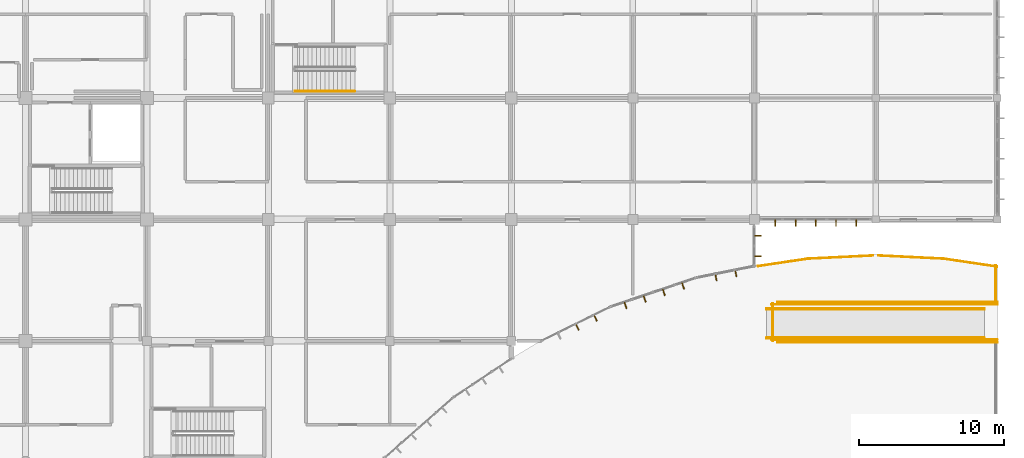
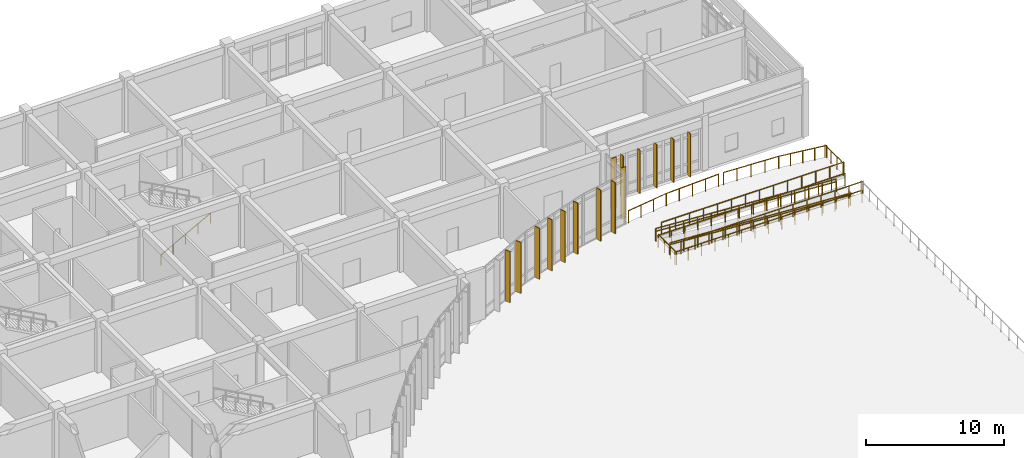
# One storey, part 136 of 138: 15 railings, 15 shading devices.
"""IFC4 building model written with IfcOpenShell, lengths in metres."""

from ifc_helpers import new_model, si_unit, direction, frame, origin, origin_2d, place, context, subcontext, project, spatial, rectangle, circle, extrude, material, material_profile, profile_set, type_object, element, save


model = new_model("IFC4")

# Units and contexts
model_context = context("Model", 3, precision=1e-05, world=origin(), true_north=direction((0.0, 1.0)))
body_context = subcontext(model_context, "Body", "Model", "MODEL_VIEW")
ifc_project = project(units=[si_unit("LENGTHUNIT", "METRE"), si_unit("AREAUNIT", "SQUARE_METRE"), si_unit("VOLUMEUNIT", "CUBIC_METRE"), si_unit("PLANEANGLEUNIT", "RADIAN"), si_unit("MASSUNIT", "GRAM", prefix="KILO")], contexts=[model_context])

# Site, building, storey
site_placement = place(None, origin())
site = spatial("IfcSite", under=ifc_project, at=site_placement, CompositionType="ELEMENT")
building_placement = place(site_placement, origin())
building = spatial("IfcBuilding", under=site, at=building_placement, Name="Bramfleet General Hospital", CompositionType="ELEMENT")
storey_placement = place(building_placement, origin())
storey = spatial("IfcBuildingStorey", under=building, at=storey_placement, Name="L00", CompositionType="ELEMENT", Elevation=0.0)

# Railings
ifc_material_1 = material(Name="Stainless steel 1.4401 safety balustrade", Category="steel")
railing_type_1 = type_object("IfcRailingType", Name="RAIL-EXT-GUARD", PredefinedType="GUARDRAIL", material=ifc_material_1)
railing_1_placement = place(storey_placement, frame((168.2646484375, 89.1689453125, 0.0)))
element("IfcRailing", 1, at=railing_1_placement, inside=storey, type_object=railing_type_1, Name="L00 Flood-Plinth Guard 232", PredefinedType="GUARDRAIL", context=body_context, shape_type="SweptSolid", body=[
    extrude(circle(Radius=0.02392578125, at=origin_2d()), frame((0.0, 0.0, 1.076171875), z_axis=(0.989173702193, 0.146749401665, 0.0), x_axis=(-0.146749401665, 0.989173702193, 0.0)), (0.0, 0.0, 1.0), 3.48193359375),
    extrude(circle(Radius=0.02099609375, at=origin_2d()), origin(), (0.0, 0.0, 1.0), 1.052001953125),
    extrude(circle(Radius=0.02099609375, at=origin_2d()), frame((1.148193359375, 0.17041015625, 0.0)), (0.0, 0.0, 1.0), 1.052001953125),
    extrude(circle(Radius=0.02099609375, at=origin_2d()), frame((2.296142578125, 0.340576171875, 0.0)), (0.0, 0.0, 1.0), 1.052001953125),
    extrude(circle(Radius=0.02099609375, at=origin_2d()), frame((3.4443359375, 0.510986328125, 0.0)), (0.0, 0.0, 1.0), 1.052001953125),
])
railing_2_placement = place(storey_placement, frame((171.69921875, 89.678955078125, 0.0)))
element("IfcRailing", 2, at=railing_2_placement, inside=storey, type_object=railing_type_1, Name="L00 Flood-Plinth Guard 233", PredefinedType="GUARDRAIL", context=body_context, shape_type="SweptSolid", body=[
    extrude(circle(Radius=0.02392578125, at=origin_2d()), frame((0.0, 0.0, 1.076171875), z_axis=(0.998795318801, 0.049070471169, 0.0), x_axis=(-0.049070471169, 0.998795318801, 0.0)), (0.0, 0.0, 1.0), 4.507568359375),
    extrude(circle(Radius=0.02099609375, at=origin_2d()), origin(), (0.0, 0.0, 1.0), 1.052001953125),
    extrude(circle(Radius=0.02099609375, at=origin_2d()), frame((1.12548828125, 0.05517578125, 0.0)), (0.0, 0.0, 1.0), 1.052001953125),
    extrude(circle(Radius=0.02099609375, at=origin_2d()), frame((2.2509765625, 0.110595703125, 0.0)), (0.0, 0.0, 1.0), 1.052001953125),
    extrude(circle(Radius=0.02099609375, at=origin_2d()), frame((3.376708984375, 0.166015625, 0.0)), (0.0, 0.0, 1.0), 1.052001953125),
    extrude(circle(Radius=0.02099609375, at=origin_2d()), frame((4.502197265625, 0.22119140625, 0.0)), (0.0, 0.0, 1.0), 1.052001953125),
])
railing_3_placement = place(storey_placement, frame((176.5986328125, 89.900146484375, 0.0)))
element("IfcRailing", 3, at=railing_3_placement, inside=storey, type_object=railing_type_1, Name="L00 Flood-Plinth Guard 234", PredefinedType="GUARDRAIL", context=body_context, shape_type="SweptSolid", body=[
    extrude(circle(Radius=0.02392578125, at=origin_2d()), frame((0.0, 0.0, 1.076171875), z_axis=(0.998795318801, -0.049070471169, 0.0), x_axis=(0.049070471169, 0.998795318801, 0.0)), (0.0, 0.0, 1.0), 4.507568359375),
    extrude(circle(Radius=0.02099609375, at=origin_2d()), origin(), (0.0, 0.0, 1.0), 1.052001953125),
    extrude(circle(Radius=0.02099609375, at=origin_2d()), frame((1.12548828125, -0.05517578125, 0.0)), (0.0, 0.0, 1.0), 1.052001953125),
    extrude(circle(Radius=0.02099609375, at=origin_2d()), frame((2.2509765625, -0.110595703125, 0.0)), (0.0, 0.0, 1.0), 1.052001953125),
    extrude(circle(Radius=0.02099609375, at=origin_2d()), frame((3.376708984375, -0.166015625, 0.0)), (0.0, 0.0, 1.0), 1.052001953125),
    extrude(circle(Radius=0.02099609375, at=origin_2d()), frame((4.502197265625, -0.22119140625, 0.0)), (0.0, 0.0, 1.0), 1.052001953125),
])
railing_4_placement = place(storey_placement, frame((181.091064453125, 89.679931640625, 0.0)))
element("IfcRailing", 4, at=railing_4_placement, inside=storey, type_object=railing_type_1, Name="L00 Flood-Plinth Guard 235", PredefinedType="GUARDRAIL", context=body_context, shape_type="SweptSolid", body=[
    extrude(circle(Radius=0.02392578125, at=origin_2d()), frame((0.0, 0.0, 1.076171875), z_axis=(0.989172905816, -0.146754769598, 0.0), x_axis=(0.146754769598, 0.989172905816, 0.0)), (0.0, 0.0, 1.0), 3.73486328125),
    extrude(circle(Radius=0.02099609375, at=origin_2d()), origin(), (0.0, 0.0, 1.0), 1.052001953125),
    extrude(circle(Radius=0.02099609375, at=origin_2d()), frame((0.923583984375, -0.136962890625, 0.0)), (0.0, 0.0, 1.0), 1.052001953125),
    extrude(circle(Radius=0.02099609375, at=origin_2d()), frame((1.84716796875, -0.27392578125, 0.0)), (0.0, 0.0, 1.0), 1.052001953125),
    extrude(circle(Radius=0.02099609375, at=origin_2d()), frame((2.770751953125, -0.4111328125, 0.0)), (0.0, 0.0, 1.0), 1.052001953125),
    extrude(circle(Radius=0.02099609375, at=origin_2d()), frame((3.6943359375, -0.548095703125, 0.0)), (0.0, 0.0, 1.0), 1.052001953125),
])
railing_5_placement = place(storey_placement, frame((184.699951171875, 89.230712890625, 0.0)))
element("IfcRailing", 5, at=railing_5_placement, inside=storey, type_object=railing_type_1, Name="L00 Flood-Plinth Guard 236", PredefinedType="GUARDRAIL", context=body_context, shape_type="SweptSolid", body=[
    extrude(circle(Radius=0.02392578125, at=origin_2d()), frame((0.0, 0.0, 1.076171875), z_axis=(0.0, -1.0, 0.0), x_axis=(1.0, 0.0, 0.0)), (0.0, 0.0, 1.0), 2.630615234375),
    extrude(circle(Radius=0.02099609375, at=origin_2d()), origin(), (0.0, 0.0, 1.0), 1.052001953125),
    extrude(circle(Radius=0.02099609375, at=origin_2d()), frame((0.0, -0.876953125, 0.0)), (0.0, 0.0, 1.0), 1.052001953125),
    extrude(circle(Radius=0.02099609375, at=origin_2d()), frame((0.0, -1.753662109375, 0.0)), (0.0, 0.0, 1.0), 1.052001953125),
    extrude(circle(Radius=0.02099609375, at=origin_2d()), frame((0.0, -2.630615234375, 0.0)), (0.0, 0.0, 1.0), 1.052001953125),
])
railing_6_placement = place(storey_placement, frame((184.800048828125, 86.699951171875, 0.0)))
element("IfcRailing", 6, at=railing_6_placement, inside=storey, type_object=railing_type_1, Name="L00 Flood-Plinth Guard 237", PredefinedType="GUARDRAIL", context=body_context, shape_type="SweptSolid", body=[
    extrude(circle(Radius=0.02392578125, at=origin_2d()), frame((0.0, 0.0, 1.076171875), z_axis=(-1.0, 0.0, 0.0), x_axis=(0.0, -1.0, 0.0)), (0.0, 0.0, 1.0), 15.199951171875),
    extrude(circle(Radius=0.02099609375, at=origin_2d()), origin(), (0.0, 0.0, 1.0), 1.052001953125),
    extrude(circle(Radius=0.02099609375, at=origin_2d()), frame((-1.169189453125, 0.0, 0.0)), (0.0, 0.0, 1.0), 1.052001953125),
    extrude(circle(Radius=0.02099609375, at=origin_2d()), frame((-2.33837890625, 0.0, 0.0)), (0.0, 0.0, 1.0), 1.052001953125),
    extrude(circle(Radius=0.02099609375, at=origin_2d()), frame((-3.507568359375, 0.0, 0.0)), (0.0, 0.0, 1.0), 1.052001953125),
    extrude(circle(Radius=0.02099609375, at=origin_2d()), frame((-4.677001953125, 0.0, 0.0)), (0.0, 0.0, 1.0), 1.052001953125),
    extrude(circle(Radius=0.02099609375, at=origin_2d()), frame((-5.84619140625, 0.0, 0.0)), (0.0, 0.0, 1.0), 1.052001953125),
    extrude(circle(Radius=0.02099609375, at=origin_2d()), frame((-7.015380859375, 0.0, 0.0)), (0.0, 0.0, 1.0), 1.052001953125),
    extrude(circle(Radius=0.02099609375, at=origin_2d()), frame((-8.1845703125, 0.0, 0.0)), (0.0, 0.0, 1.0), 1.052001953125),
    extrude(circle(Radius=0.02099609375, at=origin_2d()), frame((-9.353759765625, 0.0, 0.0)), (0.0, 0.0, 1.0), 1.052001953125),
    extrude(circle(Radius=0.02099609375, at=origin_2d()), frame((-10.52294921875, 0.0, 0.0)), (0.0, 0.0, 1.0), 1.052001953125),
    extrude(circle(Radius=0.02099609375, at=origin_2d()), frame((-11.6923828125, 0.0, 0.0)), (0.0, 0.0, 1.0), 1.052001953125),
    extrude(circle(Radius=0.02099609375, at=origin_2d()), frame((-12.861572265625, 0.0, 0.0)), (0.0, 0.0, 1.0), 1.052001953125),
    extrude(circle(Radius=0.02099609375, at=origin_2d()), frame((-14.03076171875, 0.0, 0.0)), (0.0, 0.0, 1.0), 1.052001953125),
    extrude(circle(Radius=0.02099609375, at=origin_2d()), frame((-15.199951171875, 0.0, 0.0)), (0.0, 0.0, 1.0), 1.052001953125),
])
railing_7_placement = place(storey_placement, frame((169.60009765625, 83.89990234375, 0.0)))
element("IfcRailing", 7, at=railing_7_placement, inside=storey, type_object=railing_type_1, Name="L00 Flood-Plinth Guard 238", PredefinedType="GUARDRAIL", context=body_context, shape_type="SweptSolid", body=[
    extrude(circle(Radius=0.02392578125, at=origin_2d()), frame((0.0, 0.0, 1.076171875), z_axis=(1.0, 0.0, 0.0), x_axis=(0.0, 1.0, 0.0)), (0.0, 0.0, 1.0), 15.199951171875),
    extrude(circle(Radius=0.02099609375, at=origin_2d()), origin(), (0.0, 0.0, 1.0), 1.052001953125),
    extrude(circle(Radius=0.02099609375, at=origin_2d()), frame((1.169189453125, 0.0, 0.0)), (0.0, 0.0, 1.0), 1.052001953125),
    extrude(circle(Radius=0.02099609375, at=origin_2d()), frame((2.33837890625, 0.0, 0.0)), (0.0, 0.0, 1.0), 1.052001953125),
    extrude(circle(Radius=0.02099609375, at=origin_2d()), frame((3.507568359375, 0.0, 0.0)), (0.0, 0.0, 1.0), 1.052001953125),
    extrude(circle(Radius=0.02099609375, at=origin_2d()), frame((4.677001953125, 0.0, 0.0)), (0.0, 0.0, 1.0), 1.052001953125),
    extrude(circle(Radius=0.02099609375, at=origin_2d()), frame((5.84619140625, 0.0, 0.0)), (0.0, 0.0, 1.0), 1.052001953125),
    extrude(circle(Radius=0.02099609375, at=origin_2d()), frame((7.015380859375, 0.0, 0.0)), (0.0, 0.0, 1.0), 1.052001953125),
    extrude(circle(Radius=0.02099609375, at=origin_2d()), frame((8.1845703125, 0.0, 0.0)), (0.0, 0.0, 1.0), 1.052001953125),
    extrude(circle(Radius=0.02099609375, at=origin_2d()), frame((9.353759765625, 0.0, 0.0)), (0.0, 0.0, 1.0), 1.052001953125),
    extrude(circle(Radius=0.02099609375, at=origin_2d()), frame((10.52294921875, 0.0, 0.0)), (0.0, 0.0, 1.0), 1.052001953125),
    extrude(circle(Radius=0.02099609375, at=origin_2d()), frame((11.6923828125, 0.0, 0.0)), (0.0, 0.0, 1.0), 1.052001953125),
    extrude(circle(Radius=0.02099609375, at=origin_2d()), frame((12.861572265625, 0.0, 0.0)), (0.0, 0.0, 1.0), 1.052001953125),
    extrude(circle(Radius=0.02099609375, at=origin_2d()), frame((14.03076171875, 0.0, 0.0)), (0.0, 0.0, 1.0), 1.052001953125),
    extrude(circle(Radius=0.02099609375, at=origin_2d()), frame((15.199951171875, 0.0, 0.0)), (0.0, 0.0, 1.0), 1.052001953125),
])
railing_8_placement = place(storey_placement, frame((169.199951171875, 84.080078125, -0.89990234375)))
element("IfcRailing", 8, at=railing_8_placement, inside=storey, type_object=railing_type_1, Name="Ramp Pocket Guard 6.259", PredefinedType="GUARDRAIL", context=body_context, shape_type="SweptSolid", body=[
    extrude(circle(Radius=0.02392578125, at=origin_2d()), frame((0.0, 0.0, 1.076171875), z_axis=(1.0, 0.0, 0.0), x_axis=(0.0, 1.0, 0.0)), (0.0, 0.0, 1.0), 15.60009765625),
    extrude(circle(Radius=0.02099609375, at=origin_2d()), origin(), (0.0, 0.0, 1.0), 1.052001953125),
    extrude(circle(Radius=0.02099609375, at=origin_2d()), frame((1.1142578125, 0.0, 0.0)), (0.0, 0.0, 1.0), 1.052001953125),
    extrude(circle(Radius=0.02099609375, at=origin_2d()), frame((2.228515625, 0.0, 0.0)), (0.0, 0.0, 1.0), 1.052001953125),
    extrude(circle(Radius=0.02099609375, at=origin_2d()), frame((3.3427734375, 0.0, 0.0)), (0.0, 0.0, 1.0), 1.052001953125),
    extrude(circle(Radius=0.02099609375, at=origin_2d()), frame((4.457275390625, 0.0, 0.0)), (0.0, 0.0, 1.0), 1.052001953125),
    extrude(circle(Radius=0.02099609375, at=origin_2d()), frame((5.571533203125, 0.0, 0.0)), (0.0, 0.0, 1.0), 1.052001953125),
    extrude(circle(Radius=0.02099609375, at=origin_2d()), frame((6.685791015625, 0.0, 0.0)), (0.0, 0.0, 1.0), 1.052001953125),
    extrude(circle(Radius=0.02099609375, at=origin_2d()), frame((7.800048828125, 0.0, 0.0)), (0.0, 0.0, 1.0), 1.052001953125),
    extrude(circle(Radius=0.02099609375, at=origin_2d()), frame((8.914306640625, 0.0, 0.0)), (0.0, 0.0, 1.0), 1.052001953125),
    extrude(circle(Radius=0.02099609375, at=origin_2d()), frame((10.028564453125, 0.0, 0.0)), (0.0, 0.0, 1.0), 1.052001953125),
    extrude(circle(Radius=0.02099609375, at=origin_2d()), frame((11.142822265625, 0.0, 0.0)), (0.0, 0.0, 1.0), 1.052001953125),
    extrude(circle(Radius=0.02099609375, at=origin_2d()), frame((12.25732421875, 0.0, 0.0)), (0.0, 0.0, 1.0), 1.052001953125),
    extrude(circle(Radius=0.02099609375, at=origin_2d()), frame((13.37158203125, 0.0, 0.0)), (0.0, 0.0, 1.0), 1.052001953125),
    extrude(circle(Radius=0.02099609375, at=origin_2d()), frame((14.48583984375, 0.0, 0.0)), (0.0, 0.0, 1.0), 1.052001953125),
    extrude(circle(Radius=0.02099609375, at=origin_2d()), frame((15.60009765625, 0.0, 0.0)), (0.0, 0.0, 1.0), 1.052001953125),
])
railing_9_placement = place(storey_placement, frame((184.800048828125, 86.52001953125, -0.89990234375)))
element("IfcRailing", 9, at=railing_9_placement, inside=storey, type_object=railing_type_1, Name="Ramp Pocket Guard 6.260", PredefinedType="GUARDRAIL", context=body_context, shape_type="SweptSolid", body=[
    extrude(circle(Radius=0.02392578125, at=origin_2d()), frame((0.0, 0.0, 1.076171875), z_axis=(-1.0, 0.0, 0.0), x_axis=(0.0, -1.0, 0.0)), (0.0, 0.0, 1.0), 15.60009765625),
    extrude(circle(Radius=0.02099609375, at=origin_2d()), origin(), (0.0, 0.0, 1.0), 1.052001953125),
    extrude(circle(Radius=0.02099609375, at=origin_2d()), frame((-1.1142578125, 0.0, 0.0)), (0.0, 0.0, 1.0), 1.052001953125),
    extrude(circle(Radius=0.02099609375, at=origin_2d()), frame((-2.228515625, 0.0, 0.0)), (0.0, 0.0, 1.0), 1.052001953125),
    extrude(circle(Radius=0.02099609375, at=origin_2d()), frame((-3.3427734375, 0.0, 0.0)), (0.0, 0.0, 1.0), 1.052001953125),
    extrude(circle(Radius=0.02099609375, at=origin_2d()), frame((-4.457275390625, 0.0, 0.0)), (0.0, 0.0, 1.0), 1.052001953125),
    extrude(circle(Radius=0.02099609375, at=origin_2d()), frame((-5.571533203125, 0.0, 0.0)), (0.0, 0.0, 1.0), 1.052001953125),
    extrude(circle(Radius=0.02099609375, at=origin_2d()), frame((-6.685791015625, 0.0, 0.0)), (0.0, 0.0, 1.0), 1.052001953125),
    extrude(circle(Radius=0.02099609375, at=origin_2d()), frame((-7.800048828125, 0.0, 0.0)), (0.0, 0.0, 1.0), 1.052001953125),
    extrude(circle(Radius=0.02099609375, at=origin_2d()), frame((-8.914306640625, 0.0, 0.0)), (0.0, 0.0, 1.0), 1.052001953125),
    extrude(circle(Radius=0.02099609375, at=origin_2d()), frame((-10.028564453125, 0.0, 0.0)), (0.0, 0.0, 1.0), 1.052001953125),
    extrude(circle(Radius=0.02099609375, at=origin_2d()), frame((-11.142822265625, 0.0, 0.0)), (0.0, 0.0, 1.0), 1.052001953125),
    extrude(circle(Radius=0.02099609375, at=origin_2d()), frame((-12.25732421875, 0.0, 0.0)), (0.0, 0.0, 1.0), 1.052001953125),
    extrude(circle(Radius=0.02099609375, at=origin_2d()), frame((-13.37158203125, 0.0, 0.0)), (0.0, 0.0, 1.0), 1.052001953125),
    extrude(circle(Radius=0.02099609375, at=origin_2d()), frame((-14.48583984375, 0.0, 0.0)), (0.0, 0.0, 1.0), 1.052001953125),
    extrude(circle(Radius=0.02099609375, at=origin_2d()), frame((-15.60009765625, 0.0, 0.0)), (0.0, 0.0, 1.0), 1.052001953125),
])
railing_10_placement = place(storey_placement, frame((169.280029296875, 86.60009765625, -0.89990234375)))
element("IfcRailing", 10, at=railing_10_placement, inside=storey, type_object=railing_type_1, Name="Ramp Pocket Guard 6.261", PredefinedType="GUARDRAIL", context=body_context, shape_type="SweptSolid", body=[
    extrude(circle(Radius=0.02392578125, at=origin_2d()), frame((0.0, 0.0, 1.076171875), z_axis=(0.0, -1.0, 0.0), x_axis=(1.0, 0.0, 0.0)), (0.0, 0.0, 1.0), 2.60009765625),
    extrude(circle(Radius=0.02099609375, at=origin_2d()), origin(), (0.0, 0.0, 1.0), 1.052001953125),
    extrude(circle(Radius=0.02099609375, at=origin_2d()), frame((0.0, -0.86669921875, 0.0)), (0.0, 0.0, 1.0), 1.052001953125),
    extrude(circle(Radius=0.02099609375, at=origin_2d()), frame((0.0, -1.7333984375, 0.0)), (0.0, 0.0, 1.0), 1.052001953125),
    extrude(circle(Radius=0.02099609375, at=origin_2d()), frame((0.0, -2.60009765625, 0.0)), (0.0, 0.0, 1.0), 1.052001953125),
])
railing_11_placement = place(storey_placement, frame((183.89990234375, 86.239990234375, -0.89990234375)))
element("IfcRailing", 11, at=railing_11_placement, inside=storey, type_object=railing_type_1, Name="Garden Court North Plinth Ramp Guardrail R", PredefinedType="GUARDRAIL", context=body_context, shape_type="SweptSolid", body=[
    extrude(circle(Radius=0.02392578125, at=origin_2d()), frame((0.0, 0.0, 1.076171875), z_axis=(-0.998217061543, 0.0, 0.059688340939), x_axis=(0.0, -1.0, 0.0)), (0.0, 0.0, 1.0), 15.07666015625),
    extrude(circle(Radius=0.02099609375, at=origin_2d()), origin(), (0.0, 0.0, 1.0), 1.052001953125),
    extrude(circle(Radius=0.02099609375, at=origin_2d()), frame((-1.15771484375, 0.0, 0.0693359375)), (0.0, 0.0, 1.0), 1.052001953125),
    extrude(circle(Radius=0.02099609375, at=origin_2d()), frame((-2.3154296875, 0.0, 0.138427734375)), (0.0, 0.0, 1.0), 1.052001953125),
    extrude(circle(Radius=0.02099609375, at=origin_2d()), frame((-3.47314453125, 0.0, 0.207763671875)), (0.0, 0.0, 1.0), 1.052001953125),
    extrude(circle(Radius=0.02099609375, at=origin_2d()), frame((-4.630615234375, 0.0, 0.27685546875)), (0.0, 0.0, 1.0), 1.052001953125),
    extrude(circle(Radius=0.02099609375, at=origin_2d()), frame((-5.788330078125, 0.0, 0.34619140625)), (0.0, 0.0, 1.0), 1.052001953125),
    extrude(circle(Radius=0.02099609375, at=origin_2d()), frame((-6.946044921875, 0.0, 0.415283203125)), (0.0, 0.0, 1.0), 1.052001953125),
    extrude(circle(Radius=0.02099609375, at=origin_2d()), frame((-8.103759765625, 0.0, 0.484619140625)), (0.0, 0.0, 1.0), 1.052001953125),
    extrude(circle(Radius=0.02099609375, at=origin_2d()), frame((-9.261474609375, 0.0, 0.5537109375)), (0.0, 0.0, 1.0), 1.052001953125),
    extrude(circle(Radius=0.02099609375, at=origin_2d()), frame((-10.419189453125, 0.0, 0.623046875)), (0.0, 0.0, 1.0), 1.052001953125),
    extrude(circle(Radius=0.02099609375, at=origin_2d()), frame((-11.57666015625, 0.0, 0.692138671875)), (0.0, 0.0, 1.0), 1.052001953125),
    extrude(circle(Radius=0.02099609375, at=origin_2d()), frame((-12.734375, 0.0, 0.761474609375)), (0.0, 0.0, 1.0), 1.052001953125),
    extrude(circle(Radius=0.02099609375, at=origin_2d()), frame((-13.89208984375, 0.0, 0.83056640625)), (0.0, 0.0, 1.0), 1.052001953125),
    extrude(circle(Radius=0.02099609375, at=origin_2d()), frame((-15.0498046875, 0.0, 0.89990234375)), (0.0, 0.0, 1.0), 1.052001953125),
])
railing_12_placement = place(storey_placement, frame((183.89990234375, 84.159912109375, -0.89990234375)))
element("IfcRailing", 12, at=railing_12_placement, inside=storey, type_object=railing_type_1, Name="Garden Court North Plinth Ramp Guardrail L", PredefinedType="GUARDRAIL", context=body_context, shape_type="SweptSolid", body=[
    extrude(circle(Radius=0.02392578125, at=origin_2d()), frame((0.0, 0.0, 1.076171875), z_axis=(-0.998217061543, 0.0, 0.059688340939), x_axis=(0.0, -1.0, 0.0)), (0.0, 0.0, 1.0), 15.07666015625),
    extrude(circle(Radius=0.02099609375, at=origin_2d()), origin(), (0.0, 0.0, 1.0), 1.052001953125),
    extrude(circle(Radius=0.02099609375, at=origin_2d()), frame((-1.15771484375, 0.0, 0.0693359375)), (0.0, 0.0, 1.0), 1.052001953125),
    extrude(circle(Radius=0.02099609375, at=origin_2d()), frame((-2.3154296875, 0.0, 0.138427734375)), (0.0, 0.0, 1.0), 1.052001953125),
    extrude(circle(Radius=0.02099609375, at=origin_2d()), frame((-3.47314453125, 0.0, 0.207763671875)), (0.0, 0.0, 1.0), 1.052001953125),
    extrude(circle(Radius=0.02099609375, at=origin_2d()), frame((-4.630615234375, 0.0, 0.27685546875)), (0.0, 0.0, 1.0), 1.052001953125),
    extrude(circle(Radius=0.02099609375, at=origin_2d()), frame((-5.788330078125, 0.0, 0.34619140625)), (0.0, 0.0, 1.0), 1.052001953125),
    extrude(circle(Radius=0.02099609375, at=origin_2d()), frame((-6.946044921875, 0.0, 0.415283203125)), (0.0, 0.0, 1.0), 1.052001953125),
    extrude(circle(Radius=0.02099609375, at=origin_2d()), frame((-8.103759765625, 0.0, 0.484619140625)), (0.0, 0.0, 1.0), 1.052001953125),
    extrude(circle(Radius=0.02099609375, at=origin_2d()), frame((-9.261474609375, 0.0, 0.5537109375)), (0.0, 0.0, 1.0), 1.052001953125),
    extrude(circle(Radius=0.02099609375, at=origin_2d()), frame((-10.419189453125, 0.0, 0.623046875)), (0.0, 0.0, 1.0), 1.052001953125),
    extrude(circle(Radius=0.02099609375, at=origin_2d()), frame((-11.57666015625, 0.0, 0.692138671875)), (0.0, 0.0, 1.0), 1.052001953125),
    extrude(circle(Radius=0.02099609375, at=origin_2d()), frame((-12.734375, 0.0, 0.761474609375)), (0.0, 0.0, 1.0), 1.052001953125),
    extrude(circle(Radius=0.02099609375, at=origin_2d()), frame((-13.89208984375, 0.0, 0.83056640625)), (0.0, 0.0, 1.0), 1.052001953125),
    extrude(circle(Radius=0.02099609375, at=origin_2d()), frame((-15.0498046875, 0.0, 0.89990234375)), (0.0, 0.0, 1.0), 1.052001953125),
])
ifc_material_2 = material(Name="Stainless steel 1.4401 handrail", Category="steel")
railing_type_2 = type_object("IfcRailingType", Name="RAIL-EXT-HND", PredefinedType="HANDRAIL", material=ifc_material_2)
railing_13_placement = place(storey_placement, frame((183.89990234375, 86.179931640625, -0.89990234375)))
element("IfcRailing", 13, at=railing_13_placement, inside=storey, type_object=railing_type_2, Name="Garden Court North Plinth Ramp Handrail R", PredefinedType="HANDRAIL", context=body_context, shape_type="SweptSolid", body=[
    extrude(circle(Radius=0.02392578125, at=origin_2d()), frame((0.0, 0.0, 0.8759765625), z_axis=(-0.998217061543, 0.0, 0.059688340939), x_axis=(0.0, -1.0, 0.0)), (0.0, 0.0, 1.0), 15.07666015625),
    extrude(circle(Radius=0.02099609375, at=origin_2d()), origin(), (0.0, 0.0, 1.0), 0.851806640625),
    extrude(circle(Radius=0.02099609375, at=origin_2d()), frame((-1.15771484375, 0.0, 0.0693359375)), (0.0, 0.0, 1.0), 0.851806640625),
    extrude(circle(Radius=0.02099609375, at=origin_2d()), frame((-2.3154296875, 0.0, 0.138427734375)), (0.0, 0.0, 1.0), 0.851806640625),
    extrude(circle(Radius=0.02099609375, at=origin_2d()), frame((-3.47314453125, 0.0, 0.207763671875)), (0.0, 0.0, 1.0), 0.851806640625),
    extrude(circle(Radius=0.02099609375, at=origin_2d()), frame((-4.630615234375, 0.0, 0.27685546875)), (0.0, 0.0, 1.0), 0.851806640625),
    extrude(circle(Radius=0.02099609375, at=origin_2d()), frame((-5.788330078125, 0.0, 0.34619140625)), (0.0, 0.0, 1.0), 0.851806640625),
    extrude(circle(Radius=0.02099609375, at=origin_2d()), frame((-6.946044921875, 0.0, 0.415283203125)), (0.0, 0.0, 1.0), 0.851806640625),
    extrude(circle(Radius=0.02099609375, at=origin_2d()), frame((-8.103759765625, 0.0, 0.484619140625)), (0.0, 0.0, 1.0), 0.851806640625),
    extrude(circle(Radius=0.02099609375, at=origin_2d()), frame((-9.261474609375, 0.0, 0.5537109375)), (0.0, 0.0, 1.0), 0.851806640625),
    extrude(circle(Radius=0.02099609375, at=origin_2d()), frame((-10.419189453125, 0.0, 0.623046875)), (0.0, 0.0, 1.0), 0.851806640625),
    extrude(circle(Radius=0.02099609375, at=origin_2d()), frame((-11.57666015625, 0.0, 0.692138671875)), (0.0, 0.0, 1.0), 0.851806640625),
    extrude(circle(Radius=0.02099609375, at=origin_2d()), frame((-12.734375, 0.0, 0.761474609375)), (0.0, 0.0, 1.0), 0.851806640625),
    extrude(circle(Radius=0.02099609375, at=origin_2d()), frame((-13.89208984375, 0.0, 0.83056640625)), (0.0, 0.0, 1.0), 0.851806640625),
    extrude(circle(Radius=0.02099609375, at=origin_2d()), frame((-15.0498046875, 0.0, 0.89990234375)), (0.0, 0.0, 1.0), 0.851806640625),
])
railing_14_placement = place(storey_placement, frame((183.89990234375, 84.219970703125, -0.89990234375)))
element("IfcRailing", 14, at=railing_14_placement, inside=storey, type_object=railing_type_2, Name="Garden Court North Plinth Ramp Handrail L", PredefinedType="HANDRAIL", context=body_context, shape_type="SweptSolid", body=[
    extrude(circle(Radius=0.02392578125, at=origin_2d()), frame((0.0, 0.0, 0.8759765625), z_axis=(-0.998217061543, 0.0, 0.059688340939), x_axis=(0.0, -1.0, 0.0)), (0.0, 0.0, 1.0), 15.07666015625),
    extrude(circle(Radius=0.02099609375, at=origin_2d()), origin(), (0.0, 0.0, 1.0), 0.851806640625),
    extrude(circle(Radius=0.02099609375, at=origin_2d()), frame((-1.15771484375, 0.0, 0.0693359375)), (0.0, 0.0, 1.0), 0.851806640625),
    extrude(circle(Radius=0.02099609375, at=origin_2d()), frame((-2.3154296875, 0.0, 0.138427734375)), (0.0, 0.0, 1.0), 0.851806640625),
    extrude(circle(Radius=0.02099609375, at=origin_2d()), frame((-3.47314453125, 0.0, 0.207763671875)), (0.0, 0.0, 1.0), 0.851806640625),
    extrude(circle(Radius=0.02099609375, at=origin_2d()), frame((-4.630615234375, 0.0, 0.27685546875)), (0.0, 0.0, 1.0), 0.851806640625),
    extrude(circle(Radius=0.02099609375, at=origin_2d()), frame((-5.788330078125, 0.0, 0.34619140625)), (0.0, 0.0, 1.0), 0.851806640625),
    extrude(circle(Radius=0.02099609375, at=origin_2d()), frame((-6.946044921875, 0.0, 0.415283203125)), (0.0, 0.0, 1.0), 0.851806640625),
    extrude(circle(Radius=0.02099609375, at=origin_2d()), frame((-8.103759765625, 0.0, 0.484619140625)), (0.0, 0.0, 1.0), 0.851806640625),
    extrude(circle(Radius=0.02099609375, at=origin_2d()), frame((-9.261474609375, 0.0, 0.5537109375)), (0.0, 0.0, 1.0), 0.851806640625),
    extrude(circle(Radius=0.02099609375, at=origin_2d()), frame((-10.419189453125, 0.0, 0.623046875)), (0.0, 0.0, 1.0), 0.851806640625),
    extrude(circle(Radius=0.02099609375, at=origin_2d()), frame((-11.57666015625, 0.0, 0.692138671875)), (0.0, 0.0, 1.0), 0.851806640625),
    extrude(circle(Radius=0.02099609375, at=origin_2d()), frame((-12.734375, 0.0, 0.761474609375)), (0.0, 0.0, 1.0), 0.851806640625),
    extrude(circle(Radius=0.02099609375, at=origin_2d()), frame((-13.89208984375, 0.0, 0.83056640625)), (0.0, 0.0, 1.0), 0.851806640625),
    extrude(circle(Radius=0.02099609375, at=origin_2d()), frame((-15.0498046875, 0.0, 0.89990234375)), (0.0, 0.0, 1.0), 0.851806640625),
])
ifc_material_3 = material(Name="Stainless steel 1.4301 stair handrail", Category="steel")
railing_type_3 = type_object("IfcRailingType", Name="RAIL-ST-HND", PredefinedType="HANDRAIL", material=ifc_material_3)
railing_15_placement = place(storey_placement, frame((136.239990234375, 101.27001953125, 0.159912109375)))
element("IfcRailing", 15, at=railing_15_placement, inside=storey, type_object=railing_type_3, Name="L00 ST-C9 stair handrail 1", PredefinedType="HANDRAIL", context=body_context, shape_type="SweptSolid", body=[
    extrude(circle(Radius=0.02392578125, at=origin_2d()), frame((0.0, 0.0, 0.8759765625), z_axis=(0.879038868435, 0.0, 0.476750110415), x_axis=(0.0, 1.0, 0.0)), (0.0, 0.0, 1.0), 4.698486328125),
    extrude(circle(Radius=0.02099609375, at=origin_2d()), origin(), (0.0, 0.0, 1.0), 0.851806640625),
    extrude(circle(Radius=0.02099609375, at=origin_2d()), frame((1.032470703125, 0.0, 0.56005859375)), (0.0, 0.0, 1.0), 0.851806640625),
    extrude(circle(Radius=0.02099609375, at=origin_2d()), frame((2.06494140625, 0.0, 1.1201171875)), (0.0, 0.0, 1.0), 0.851806640625),
    extrude(circle(Radius=0.02099609375, at=origin_2d()), frame((3.09765625, 0.0, 1.679931640625)), (0.0, 0.0, 1.0), 0.851806640625),
    extrude(circle(Radius=0.02099609375, at=origin_2d()), frame((4.130126953125, 0.0, 2.239990234375)), (0.0, 0.0, 1.0), 0.851806640625),
])

# Shading devices
ifc_material_4 = material(Name="Treated European larch timber", Category="wood")
ifc_material_profile = material_profile(ifc_material_4, rectangle(XDim=0.06494140625, YDim=0.449951171875, at=origin_2d()), Name="LARCH FIN 450x65")
ifc_profile_set = profile_set([ifc_material_profile], Name="Treated European larch timber")
shading_device_type = type_object("IfcShadingDeviceType", Name="SHD-FIN-450", PredefinedType="USERDEFINED", material=ifc_profile_set)
for number, where, z_axis, x_axis, name in (
    (16, (175.050048828125, 92.159912109375, -0.02001953125), (0.0, 0.0, 1.0), (-1.0, 0.0, 0.0), "L00 Larch Timber Shading Fin 41"),
    (17, (173.64990234375, 92.159912109375, -0.02001953125), (0.0, 0.0, 1.0), (-1.0, 0.0, 0.0), "L00 Larch Timber Shading Fin 42"),
    (18, (172.25, 92.159912109375, -0.02001953125), (0.0, 0.0, 1.0), (-1.0, 0.0, 0.0), "L00 Larch Timber Shading Fin 43"),
    (19, (170.85009765625, 92.159912109375, -0.02001953125), (0.0, 0.0, 1.0), (-1.0, 0.0, 0.0), "L00 Larch Timber Shading Fin 44"),
    (20, (169.449951171875, 92.159912109375, -0.02001953125), (0.0, 0.0, 1.0), (-1.0, 0.0, 0.0), "L00 Larch Timber Shading Fin 45"),
):
    element("IfcShadingDevice", number, at=place(storey_placement, frame(where, z_axis=z_axis, x_axis=x_axis)), inside=storey, type_object=shading_device_type, Name=name, ObjectType="Fin", PredefinedType="USERDEFINED", context=body_context, shape_type="SweptSolid", body=[
        extrude(rectangle(XDim=0.06494140625, YDim=0.449951171875, at=origin_2d()), origin(), (0.0, 0.0, 1.0), 3.820068359375),
    ])
for number, where, z_axis, x_axis, name in (
    (21, (168.239990234375, 91.27001953125, -0.02001953125), (0.0, 0.0, 1.0), (0.0, -1.0, 0.0), "L00 Larch Timber Shading Fin 46"),
    (22, (168.239990234375, 89.8701171875, -0.02001953125), (0.0, 0.0, 1.0), (0.0, -1.0, 0.0), "L00 Larch Timber Shading Fin 47"),
    (23, (166.721923828125, 88.665771484375, -0.02001953125), (0.0, 0.0, 1.0), (-0.980749087161, -0.195272189606, 0.0), "L00 Larch Timber Shading Fin 48"),
    (24, (165.348876953125, 88.392333984375, -0.02001953125), (0.0, 0.0, 1.0), (-0.980749087161, -0.195272189606, 0.0), "L00 Larch Timber Shading Fin 49"),
    (25, (163.069580078125, 87.802490234375, -0.02001953125), (0.0, 0.0, 1.0), (-0.946949276617, -0.321383054181, 0.0), "L00 Larch Timber Shading Fin 50"),
    (26, (161.743896484375, 87.352783203125, -0.02001953125), (0.0, 0.0, 1.0), (-0.946949276617, -0.321383054181, 0.0), "L00 Larch Timber Shading Fin 51"),
    (27, (160.418212890625, 86.90283203125, -0.02001953125), (0.0, 0.0, 1.0), (-0.946949276617, -0.321383054181, 0.0), "L00 Larch Timber Shading Fin 52"),
    (28, (159.092529296875, 86.452880859375, -0.02001953125), (0.0, 0.0, 1.0), (-0.946949276617, -0.321383054181, 0.0), "L00 Larch Timber Shading Fin 53"),
    (29, (157.014404296875, 85.576904296875, -0.02001953125), (0.0, 0.0, 1.0), (-0.896864723513, -0.442304948782, 0.0), "L00 Larch Timber Shading Fin 54"),
    (30, (155.7587890625, 84.957763671875, -0.02001953125), (0.0, 0.0, 1.0), (-0.896864723513, -0.442304948782, 0.0), "L00 Larch Timber Shading Fin 55"),
):
    element("IfcShadingDevice", number, at=place(storey_placement, frame(where, z_axis=z_axis, x_axis=x_axis)), inside=storey, type_object=shading_device_type, Name=name, ObjectType="Fin", PredefinedType="USERDEFINED", context=body_context, shape_type="SweptSolid", body=[
        extrude(rectangle(XDim=0.06494140625, YDim=0.449951171875, at=origin_2d()), origin(), (0.0, 0.0, 1.0), 4.52001953125),
    ])

save(model, "model.ifc")
